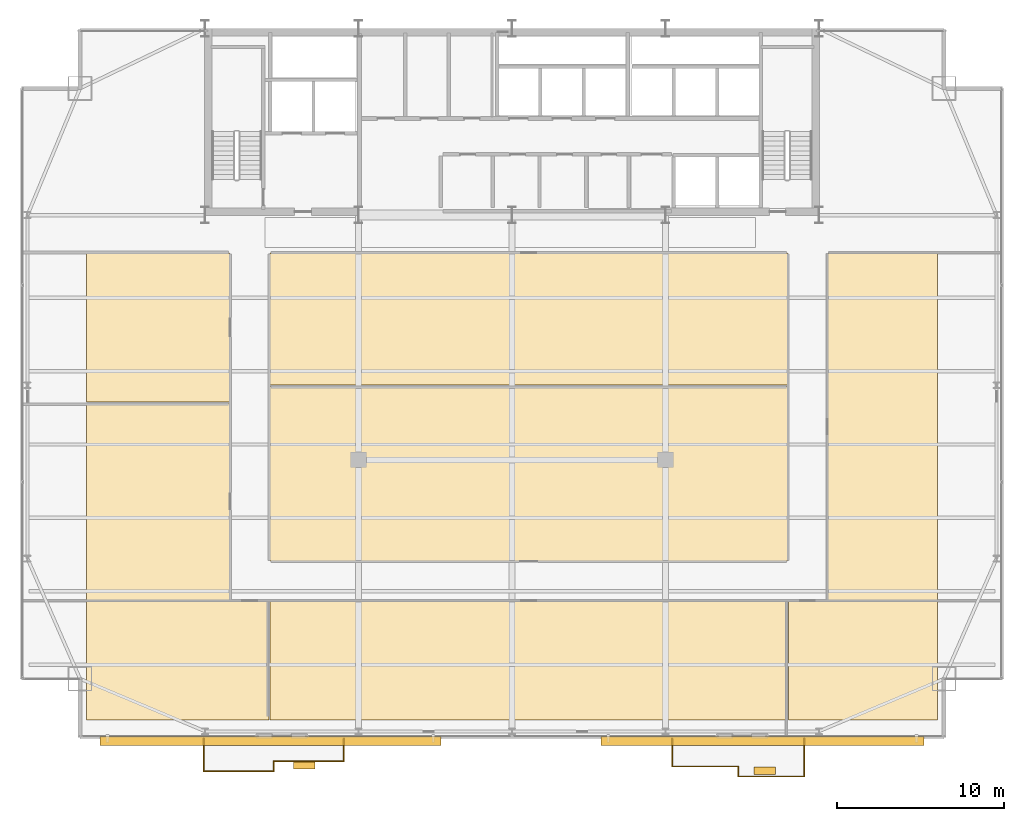
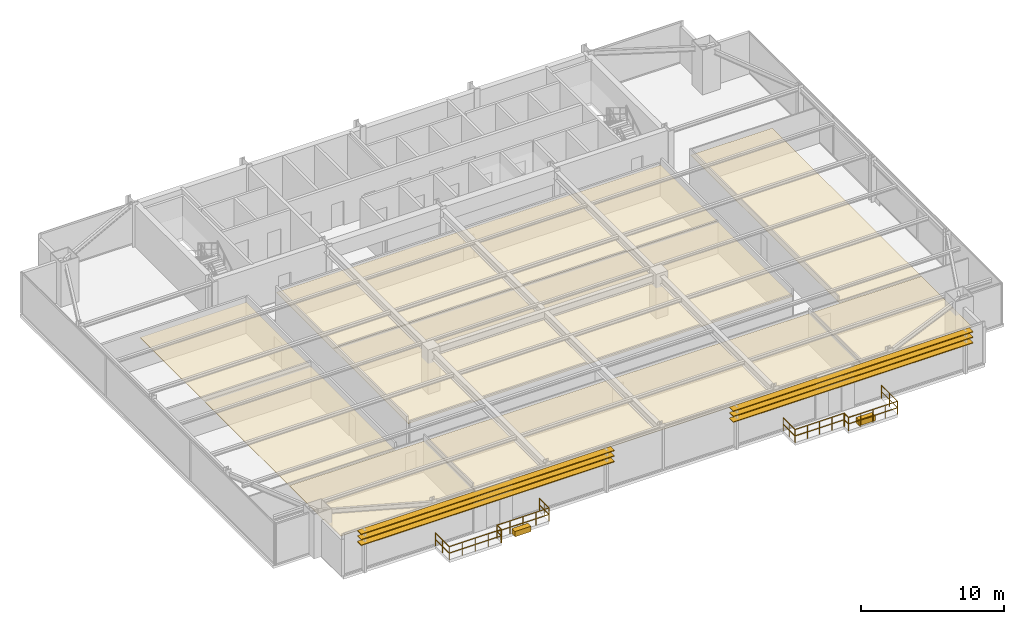
# One storey, part 33 of 34: 10 coverings, 10 railings, 6 shading devices.
"""IFC4 building model written with IfcOpenShell, lengths in metres."""

import ifcopenshell
import ifcopenshell.guid

model = None  # the IFC model being written
_history = None  # IfcOwnerHistory: only IFC2X3 demands one
_inside = {}  # id of a spatial element -> (the spatial element, [elements in it])
_under = {}  # id of a project, library or spatial element -> (it, [spatial elements below it])
_declared = {}  # id of a project -> (the project, [libraries it declares])
_typed = {}  # id of a type object -> (the type object, [elements of that type])
_made_of = {}  # id of a material, layer set ... -> (it, [elements and type objects made of it])


def new_model(schema):
    """Start an empty IFC model of exactly this schema.

    Asked for "IFC4X3", IfcOpenShell would pick the latest addendum, in which some entities
    have other attributes; the version numbers below select the first issue.
    IFC2X3 requires an IfcOwnerHistory on every rooted entity: one is made here for all.
    """
    global model, _history
    if schema == "IFC4X3":
        model = ifcopenshell.file(schema_version=(4, 3, 0, 0))
    else:
        model = ifcopenshell.file(schema=schema)
    _inside.clear()
    _under.clear()
    _declared.clear()
    _typed.clear()
    _made_of.clear()
    _history = None
    if model.schema == "IFC2X3":
        org = make("IfcOrganization", Name="unknown")
        user = make(
            "IfcPersonAndOrganization",
            ThePerson=make("IfcPerson", FamilyName="unknown"),
            TheOrganization=org,
        )
        app = make(
            "IfcApplication",
            ApplicationDeveloper=org,
            Version="unknown",
            ApplicationFullName="unknown",
            ApplicationIdentifier="unknown",
        )
        _history = make(
            "IfcOwnerHistory",
            OwningUser=user,
            OwningApplication=app,
            ChangeAction="ADDED",
            CreationDate=0,
        )
    return model


def make(cls, **values):
    """One entity of the class cls with the attributes given. An attribute that is None is left unset."""
    return model.create_entity(
        cls, **{name: value for name, value in values.items() if value is not None}
    )


def rooted(cls, **values):
    """An entity with a GlobalId (a new one), such as an element, a storey or a relation."""
    return make(cls, GlobalId=ifcopenshell.guid.new(), OwnerHistory=_history, **values)


def si_unit(unit_type, name, prefix=None):
    """IfcSIUnit, for example si_unit("LENGTHUNIT", "METRE", prefix="MILLI")."""
    return make("IfcSIUnit", UnitType=unit_type, Prefix=prefix, Name=name)


def assignment(units):
    """IfcUnitAssignment: the units of a project."""
    return None if units is None else make("IfcUnitAssignment", Units=units)


def point(xyz):
    """IfcCartesianPoint."""
    return None if xyz is None else make("IfcCartesianPoint", Coordinates=xyz)


def direction(xyz):
    """IfcDirection."""
    return None if xyz is None else make("IfcDirection", DirectionRatios=xyz)


def frame(location, z_axis=None, x_axis=None):
    """IfcAxis2Placement3D, a coordinate frame: its origin and axes. An axis left out is left unset."""
    return make(
        "IfcAxis2Placement3D",
        Location=point(location),
        Axis=direction(z_axis),
        RefDirection=direction(x_axis),
    )


def frame_2d(location, x_axis=None):
    """IfcAxis2Placement2D, a coordinate frame in the plane: its origin and x axis."""
    return make(
        "IfcAxis2Placement2D", Location=point(location), RefDirection=direction(x_axis)
    )


def origin():
    """The frame at (0, 0, 0) with its axes left unset."""
    return frame((0.0, 0.0, 0.0))


def origin_2d():
    """The frame at (0, 0) in the plane with its x axis left unset."""
    return frame_2d((0.0, 0.0))


def place(relative_to, where):
    """IfcLocalPlacement: puts the frame where relative to a parent placement (None: the world)."""
    return make(
        "IfcLocalPlacement", PlacementRelTo=relative_to, RelativePlacement=where
    )


def context(
    kind, dimensions, precision=None, world=None, true_north=None, identifier=None
):
    """IfcGeometricRepresentationContext, for example the 3D "Model" context."""
    return make(
        "IfcGeometricRepresentationContext",
        ContextIdentifier=identifier,
        ContextType=kind,
        CoordinateSpaceDimension=dimensions,
        Precision=precision,
        WorldCoordinateSystem=world,
        TrueNorth=true_north,
    )


def subcontext(parent, identifier, kind, view, scale=None):
    """IfcGeometricRepresentationSubContext, for example "Body" below "Model"."""
    return make(
        "IfcGeometricRepresentationSubContext",
        ContextIdentifier=identifier,
        ContextType=kind,
        ParentContext=parent,
        TargetScale=scale,
        TargetView=view,
    )


def project(units=None, contexts=None):
    """IfcProject with its units and contexts."""
    return rooted(
        "IfcProject",
        Name="project",
        RepresentationContexts=contexts,
        UnitsInContext=assignment(units),
    )


def spatial(cls, under=None, at=None, **own):
    """A site, building, storey or space (cls), placed at a placement, below another one or the project."""
    s = rooted(cls, ObjectPlacement=at, **own)
    if under is not None:
        _under.setdefault(under.id(), (under, []))[1].append(s)
    return s


def polyline(points):
    """IfcPolyline through the points."""
    return make("IfcPolyline", Points=[point(p) for p in points])


def profile(cls, at=None, kind="AREA", **sizes):
    """A parametric profile (cls). Its sizes go by their IFC names, for example OverallWidth=200.0."""
    return make(cls, ProfileType=kind, Position=at, **sizes)


def rectangle(**sizes):
    """IfcRectangleProfileDef."""
    return profile("IfcRectangleProfileDef", **sizes)


def outline(outer, holes=None, kind="AREA"):
    """IfcArbitraryClosedProfileDef: a profile drawn as a closed curve; with holes, ...WithVoids."""
    if holes is None:
        return make("IfcArbitraryClosedProfileDef", ProfileType=kind, OuterCurve=outer)
    return make(
        "IfcArbitraryProfileDefWithVoids",
        ProfileType=kind,
        OuterCurve=outer,
        InnerCurves=holes,
    )


def extrude(swept, where, along, depth):
    """IfcExtrudedAreaSolid: the profile swept, set in the frame where, extruded along a direction by depth."""
    return make(
        "IfcExtrudedAreaSolid",
        SweptArea=swept,
        Position=where,
        ExtrudedDirection=direction(along),
        Depth=depth,
    )


def shape(context_of_items, identifier, shape_type, items):
    """IfcShapeRepresentation: the items that make up one representation, for example the "Body"."""
    return make(
        "IfcShapeRepresentation",
        ContextOfItems=context_of_items,
        RepresentationIdentifier=identifier,
        RepresentationType=shape_type,
        Items=items,
    )


def source(mapping_origin, context_of_items, identifier, shape_type, items):
    """IfcRepresentationMap: a shape defined once, which mapped items show again and again."""
    return make(
        "IfcRepresentationMap",
        MappingOrigin=mapping_origin,
        MappedRepresentation=shape(context_of_items, identifier, shape_type, items),
    )


def transform(
    local_origin,
    x_axis=None,
    y_axis=None,
    z_axis=None,
    scale=None,
    scale2=None,
    scale3=None,
    uniform=True,
):
    """IfcCartesianTransformationOperator3D, or its non-uniform kind. x_axis, y_axis, z_axis: its Axis1, 2, 3."""
    if uniform:
        return make(
            "IfcCartesianTransformationOperator3D",
            Axis1=direction(x_axis),
            Axis2=direction(y_axis),
            LocalOrigin=point(local_origin),
            Scale=scale,
            Axis3=direction(z_axis),
        )
    return make(
        "IfcCartesianTransformationOperator3DnonUniform",
        Axis1=direction(x_axis),
        Axis2=direction(y_axis),
        LocalOrigin=point(local_origin),
        Scale=scale,
        Axis3=direction(z_axis),
        Scale2=scale2,
        Scale3=scale3,
    )


def mapped(mapping_source, mapping_target):
    """IfcMappedItem: shows the shape of a source again, moved by a transform."""
    return make(
        "IfcMappedItem", MappingSource=mapping_source, MappingTarget=mapping_target
    )


def material(Name=None, Category=None):
    """IfcMaterial."""
    return make("IfcMaterial", Name=Name, Category=Category)


def layer(
    of_material, thickness, ventilated=None, Name=None, Category=None, Priority=None
):
    """IfcMaterialLayer: one layer of a wall or slab, of a material (None: an air gap)."""
    return make(
        "IfcMaterialLayer",
        Material=of_material,
        LayerThickness=thickness,
        IsVentilated=ventilated,
        Name=Name,
        Category=Category,
        Priority=Priority,
    )


def layer_set(layers, Name=None):
    """IfcMaterialLayerSet."""
    return make("IfcMaterialLayerSet", MaterialLayers=layers, LayerSetName=Name)


def made_of(thing, what):
    """Note that an element or type object is made of a material, layer set ...; save() writes the relation."""
    if what is not None:
        _made_of.setdefault(what.id(), (what, []))[1].append(thing)
    return thing


def type_object(cls, material=None, **own):
    """A type object (cls), such as IfcWallType, which elements share."""
    return made_of(rooted(cls, **own), material)


def type_shapes(of_type, sources):
    """Give a type object the sources (RepresentationMaps) that its elements show as mapped items."""
    of_type.RepresentationMaps = sources


def element(
    cls,
    number,
    at=None,
    inside=None,
    cuts=None,
    type_object=None,
    material=None,
    context=None,
    identifier="Body",
    shape_type=None,
    held_by="IfcProductDefinitionShape",
    body=None,
    shapes=None,
    **own,
):
    """One element of the class cls, such as IfcWall. Its Tag is "e" and its number.

    at: its placement. inside: the storey or other place that contains it. cuts: it is an
    opening in that element (IfcRelVoidsElement). A single representation is given by context,
    identifier, shape_type and body (its items); several are given by shapes. held_by: the class
    of the entity that holds the representations. save() writes the other relations.
    """
    e = rooted(cls, Tag="e%d" % number, ObjectPlacement=at, **own)
    if body is not None:
        shapes = [shape(context, identifier, shape_type, body)]
    if shapes is not None:
        e.Representation = make(held_by, Representations=shapes)
    if inside is not None:
        _inside.setdefault(inside.id(), (inside, []))[1].append(e)
    if cuts is not None:
        rooted(
            "IfcRelVoidsElement", RelatingBuildingElement=cuts, RelatedOpeningElement=e
        )
    if type_object is not None:
        _typed.setdefault(type_object.id(), (type_object, []))[1].append(e)
    return made_of(e, material)


def aggregate(whole, parts):
    """IfcRelAggregates: a whole, such as a stair, and the parts it consists of."""
    return rooted("IfcRelAggregates", RelatingObject=whole, RelatedObjects=parts)


def save(model, path):
    """Write the relations noted so far, then the file.

    IfcRelAggregates (storeys below a building ...), IfcRelContainedInSpatialStructure (elements
    in a storey), IfcRelDefinesByType, IfcRelAssociatesMaterial and IfcRelDeclares: one each for
    every whole, place, type object, material and project.
    """
    for whole, parts in _under.values():
        aggregate(whole, parts)
    for where, things in _inside.values():
        rooted(
            "IfcRelContainedInSpatialStructure",
            RelatedElements=things,
            RelatingStructure=where,
        )
    for kind, things in _typed.values():
        rooted("IfcRelDefinesByType", RelatedObjects=things, RelatingType=kind)
    for what, things in _made_of.values():
        rooted("IfcRelAssociatesMaterial", RelatedObjects=things, RelatingMaterial=what)
    for by, libraries in _declared.values():
        rooted("IfcRelDeclares", RelatingContext=by, RelatedDefinitions=libraries)
    model.write(path)


model = new_model("IFC4")

# Units and contexts
model_context = context("Model", 3, precision=1e-05, world=origin(), true_north=direction((0.0, 1.0)))
body_context = subcontext(model_context, "Body", "Model", "MODEL_VIEW")
ifc_project = project(units=[si_unit("LENGTHUNIT", "METRE"), si_unit("AREAUNIT", "SQUARE_METRE"), si_unit("VOLUMEUNIT", "CUBIC_METRE"), si_unit("PLANEANGLEUNIT", "RADIAN"), si_unit("MASSUNIT", "GRAM", prefix="KILO")], contexts=[model_context])

# Site, building, storey
site_placement = place(None, origin())
site = spatial("IfcSite", under=ifc_project, at=site_placement, CompositionType="ELEMENT")
building_placement = place(site_placement, origin())
building = spatial("IfcBuilding", under=site, at=building_placement, Name="Varnel Quay Broadcast Tower", CompositionType="ELEMENT")
storey_placement = place(building_placement, frame((0.0, 0.0, 110.60009765625)))
storey = spatial("IfcBuildingStorey", under=building, at=storey_placement, Name="L26", CompositionType="ELEMENT", Elevation=110.60009765625)

# Coverings
ifc_material_1 = material(Name="Micro-Perforated Acoustic Ceiling Tile")
ifc_layer_1 = layer(ifc_material_1, 0.0400390625, Name="Micro-Perforated Acoustic Ceiling Tile")
ifc_layer_set_1 = layer_set([ifc_layer_1], Name="Micro-Perforated Acoustic Ceiling Tile")
covering_type_1 = type_object("IfcCoveringType", Name="Cov_AcousticCeiling", PredefinedType="CEILING", material=ifc_layer_set_1)
covering_1_placement = place(storey_placement, frame((0.0, 0.0, 2.579833984375)))
element("IfcCovering", 1, at=covering_1_placement, inside=storey, type_object=covering_type_1, Name="L26 Media Tape Archive Store 1 Acoustic Ceiling", PredefinedType="CEILING", context=body_context, shape_type="SweptSolid", body=[
    extrude(outline(polyline([(8.485107421875, 5.324951171875), (19.4150390625, 5.324951171875), (19.4150390625, 12.445068359375), (8.485107421875, 12.445068359375), (8.485107421875, 5.324951171875)])), origin(), (0.0, 0.0, 1.0), 0.0400390625),
])
covering_2_placement = place(storey_placement, frame((0.0, 0.0, 2.579833984375)))
element("IfcCovering", 2, at=covering_2_placement, inside=storey, type_object=covering_type_1, Name="L26 Lens & Rigging Store 2 Acoustic Ceiling", PredefinedType="CEILING", context=body_context, shape_type="SweptSolid", body=[
    extrude(outline(polyline([(19.485107421875, 5.324951171875), (50.514892578125, 5.324951171875), (50.514892578125, 12.445068359375), (19.485107421875, 12.445068359375), (19.485107421875, 5.324951171875)])), origin(), (0.0, 0.0, 1.0), 0.0400390625),
])
covering_3_placement = place(storey_placement, frame((0.0, 0.0, 2.579833984375)))
element("IfcCovering", 3, at=covering_3_placement, inside=storey, type_object=covering_type_1, Name="L26 Ingest Vault Store 3 Acoustic Ceiling", PredefinedType="CEILING", context=body_context, shape_type="SweptSolid", body=[
    extrude(outline(polyline([(50.5849609375, 5.324951171875), (59.514892578125, 5.324951171875), (59.514892578125, 12.445068359375), (50.5849609375, 12.445068359375), (50.5849609375, 5.324951171875)])), origin(), (0.0, 0.0, 1.0), 0.0400390625),
])
covering_4_placement = place(storey_placement, frame((0.0, 0.0, 2.579833984375)))
element("IfcCovering", 4, at=covering_4_placement, inside=storey, type_object=covering_type_1, Name="L26 Color Timing Suite 4 Acoustic Ceiling", PredefinedType="CEILING", context=body_context, shape_type="SweptSolid", body=[
    extrude(outline(polyline([(8.485107421875, 12.514892578125), (17.06494140625, 12.514892578125), (17.06494140625, 24.324951171875), (8.485107421875, 24.324951171875), (8.485107421875, 12.514892578125)])), origin(), (0.0, 0.0, 1.0), 0.0400390625),
])
covering_5_placement = place(storey_placement, frame((0.0, 0.0, 2.579833984375)))
element("IfcCovering", 5, at=covering_5_placement, inside=storey, type_object=covering_type_1, Name="L26 Screening Meeting Room 5 Acoustic Ceiling", PredefinedType="CEILING", context=body_context, shape_type="SweptSolid", body=[
    extrude(outline(polyline([(8.485107421875, 24.39501953125), (17.06494140625, 24.39501953125), (17.06494140625, 33.31494140625), (8.485107421875, 33.31494140625), (8.485107421875, 24.39501953125)])), origin(), (0.0, 0.0, 1.0), 0.0400390625),
])
covering_6_placement = place(storey_placement, frame((0.0, 0.0, 2.579833984375)))
element("IfcCovering", 6, at=covering_6_placement, inside=storey, type_object=covering_type_1, Name="L26 Producer Lounge 6 Acoustic Ceiling", PredefinedType="CEILING", context=body_context, shape_type="SweptSolid", body=[
    extrude(outline(polyline([(19.485107421875, 14.864990234375), (50.514892578125, 14.864990234375), (50.514892578125, 25.3349609375), (19.485107421875, 25.3349609375), (19.485107421875, 14.864990234375)])), origin(), (0.0, 0.0, 1.0), 0.0400390625),
])
covering_7_placement = place(storey_placement, frame((0.0, 0.0, 2.579833984375)))
element("IfcCovering", 7, at=covering_7_placement, inside=storey, type_object=covering_type_1, Name="L26 Tea Kitchen 7 Acoustic Ceiling", PredefinedType="CEILING", context=body_context, shape_type="SweptSolid", body=[
    extrude(outline(polyline([(19.485107421875, 25.405029296875), (50.514892578125, 25.405029296875), (50.514892578125, 33.31494140625), (19.485107421875, 33.31494140625), (19.485107421875, 25.405029296875)])), origin(), (0.0, 0.0, 1.0), 0.0400390625),
])
covering_8_placement = place(storey_placement, frame((0.0, 0.0, 2.579833984375)))
element("IfcCovering", 8, at=covering_8_placement, inside=storey, type_object=covering_type_1, Name="L26 Media Tape Archive Store 8 Acoustic Ceiling", PredefinedType="CEILING", context=body_context, shape_type="SweptSolid", body=[
    extrude(outline(polyline([(52.93505859375, 12.514892578125), (59.514892578125, 12.514892578125), (59.514892578125, 33.31494140625), (52.93505859375, 33.31494140625), (52.93505859375, 12.514892578125)])), origin(), (0.0, 0.0, 1.0), 0.0400390625),
])

# Railings
ifc_material_2 = material(Name="Anodised Bronze Aluminium 6063-T6", Category="aluminium")
railing_type = type_object("IfcRailingType", Name="Rail_Balustrade1150", PredefinedType="BALUSTRADE", material=ifc_material_2)
railing_1_placement = place(storey_placement, frame((15.52001953125, 2.260986328125, 0.0)))
element("IfcRailing", 9, at=railing_1_placement, inside=storey, type_object=railing_type, Name="L26 Terrace 1 Guard 1", PredefinedType="BALUSTRADE", context=body_context, shape_type="SweptSolid", body=[
    extrude(rectangle(XDim=0.048095703125, YDim=0.048095703125, at=origin_2d()), frame((0.0, 0.0, 1.1259765625), z_axis=(1.0, 0.0, 0.0), x_axis=(0.0, 1.0, 0.0)), (0.0, 0.0, 1.0), 4.199951171875),
    extrude(rectangle(XDim=0.048095703125, YDim=0.048095703125, at=origin_2d()), frame((0.0, 0.0, 0.574951171875), z_axis=(1.0, 0.0, 0.0), x_axis=(0.0, 1.0, 0.0)), (0.0, 0.0, 1.0), 4.199951171875),
    extrude(rectangle(XDim=0.0419921875, YDim=0.0419921875, at=origin_2d()), origin(), (0.0, 0.0, 1.0), 1.101806640625),
    extrude(rectangle(XDim=0.0419921875, YDim=0.0419921875, at=origin_2d()), frame((1.050048828125, 0.0, 0.0)), (0.0, 0.0, 1.0), 1.101806640625),
    extrude(rectangle(XDim=0.0419921875, YDim=0.0419921875, at=origin_2d()), frame((2.10009765625, 0.0, 0.0)), (0.0, 0.0, 1.0), 1.101806640625),
    extrude(rectangle(XDim=0.0419921875, YDim=0.0419921875, at=origin_2d()), frame((3.14990234375, 0.0, 0.0)), (0.0, 0.0, 1.0), 1.101806640625),
    extrude(rectangle(XDim=0.0419921875, YDim=0.0419921875, at=origin_2d()), frame((4.199951171875, 0.0, 0.0)), (0.0, 0.0, 1.0), 1.101806640625),
])
railing_2_placement = place(storey_placement, frame((19.719970703125, 2.260986328125, 0.0)))
element("IfcRailing", 10, at=railing_2_placement, inside=storey, type_object=railing_type, Name="L26 Terrace 1 Guard 2", PredefinedType="BALUSTRADE", context=body_context, shape_type="SweptSolid", body=[
    extrude(rectangle(XDim=0.048095703125, YDim=0.048095703125, at=origin_2d()), frame((0.0, 0.0, 1.1259765625), z_axis=(0.0, 1.0, 0.0), x_axis=(-1.0, 0.0, 0.0)), (0.0, 0.0, 1.0), 0.60009765625),
    extrude(rectangle(XDim=0.048095703125, YDim=0.048095703125, at=origin_2d()), frame((0.0, 0.0, 0.574951171875), z_axis=(0.0, 1.0, 0.0), x_axis=(-1.0, 0.0, 0.0)), (0.0, 0.0, 1.0), 0.60009765625),
    extrude(rectangle(XDim=0.0419921875, YDim=0.0419921875, at=origin_2d()), origin(), (0.0, 0.0, 1.0), 1.101806640625),
    extrude(rectangle(XDim=0.0419921875, YDim=0.0419921875, at=origin_2d()), frame((0.0, 0.60009765625, 0.0)), (0.0, 0.0, 1.0), 1.101806640625),
])
railing_3_placement = place(storey_placement, frame((19.719970703125, 2.861083984375, 0.0)))
element("IfcRailing", 11, at=railing_3_placement, inside=storey, type_object=railing_type, Name="L26 Terrace 1 Guard 3", PredefinedType="BALUSTRADE", context=body_context, shape_type="SweptSolid", body=[
    extrude(rectangle(XDim=0.048095703125, YDim=0.048095703125, at=origin_2d()), frame((0.0, 0.0, 1.1259765625), z_axis=(1.0, 0.0, 0.0), x_axis=(0.0, 1.0, 0.0)), (0.0, 0.0, 1.0), 4.199951171875),
    extrude(rectangle(XDim=0.048095703125, YDim=0.048095703125, at=origin_2d()), frame((0.0, 0.0, 0.574951171875), z_axis=(1.0, 0.0, 0.0), x_axis=(0.0, 1.0, 0.0)), (0.0, 0.0, 1.0), 4.199951171875),
    extrude(rectangle(XDim=0.0419921875, YDim=0.0419921875, at=origin_2d()), origin(), (0.0, 0.0, 1.0), 1.101806640625),
    extrude(rectangle(XDim=0.0419921875, YDim=0.0419921875, at=origin_2d()), frame((1.050048828125, 0.0, 0.0)), (0.0, 0.0, 1.0), 1.101806640625),
    extrude(rectangle(XDim=0.0419921875, YDim=0.0419921875, at=origin_2d()), frame((2.10009765625, 0.0, 0.0)), (0.0, 0.0, 1.0), 1.101806640625),
    extrude(rectangle(XDim=0.0419921875, YDim=0.0419921875, at=origin_2d()), frame((3.14990234375, 0.0, 0.0)), (0.0, 0.0, 1.0), 1.101806640625),
    extrude(rectangle(XDim=0.0419921875, YDim=0.0419921875, at=origin_2d()), frame((4.199951171875, 0.0, 0.0)), (0.0, 0.0, 1.0), 1.101806640625),
])
railing_4_placement = place(storey_placement, frame((23.919921875, 2.861083984375, 0.0)))
element("IfcRailing", 12, at=railing_4_placement, inside=storey, type_object=railing_type, Name="L26 Terrace 1 Guard 4", PredefinedType="BALUSTRADE", context=body_context, shape_type="SweptSolid", body=[
    extrude(rectangle(XDim=0.048095703125, YDim=0.048095703125, at=origin_2d()), frame((0.0, 0.0, 1.1259765625), z_axis=(0.0, 1.0, 0.0), x_axis=(-1.0, 0.0, 0.0)), (0.0, 0.0, 1.0), 1.3388671875),
    extrude(rectangle(XDim=0.048095703125, YDim=0.048095703125, at=origin_2d()), frame((0.0, 0.0, 0.574951171875), z_axis=(0.0, 1.0, 0.0), x_axis=(-1.0, 0.0, 0.0)), (0.0, 0.0, 1.0), 1.3388671875),
    extrude(rectangle(XDim=0.0419921875, YDim=0.0419921875, at=origin_2d()), origin(), (0.0, 0.0, 1.0), 1.101806640625),
    extrude(rectangle(XDim=0.0419921875, YDim=0.0419921875, at=origin_2d()), frame((0.0, 0.66943359375, 0.0)), (0.0, 0.0, 1.0), 1.101806640625),
    extrude(rectangle(XDim=0.0419921875, YDim=0.0419921875, at=origin_2d()), frame((0.0, 1.3388671875, 0.0)), (0.0, 0.0, 1.0), 1.101806640625),
])
railing_5_placement = place(storey_placement, frame((15.52001953125, 4.199951171875, 0.0)))
element("IfcRailing", 13, at=railing_5_placement, inside=storey, type_object=railing_type, Name="L26 Terrace 1 Guard 6", PredefinedType="BALUSTRADE", context=body_context, shape_type="SweptSolid", body=[
    extrude(rectangle(XDim=0.048095703125, YDim=0.048095703125, at=origin_2d()), frame((0.0, 0.0, 1.1259765625), z_axis=(0.0, -1.0, 0.0), x_axis=(1.0, 0.0, 0.0)), (0.0, 0.0, 1.0), 1.93896484375),
    extrude(rectangle(XDim=0.048095703125, YDim=0.048095703125, at=origin_2d()), frame((0.0, 0.0, 0.574951171875), z_axis=(0.0, -1.0, 0.0), x_axis=(1.0, 0.0, 0.0)), (0.0, 0.0, 1.0), 1.93896484375),
    extrude(rectangle(XDim=0.0419921875, YDim=0.0419921875, at=origin_2d()), origin(), (0.0, 0.0, 1.0), 1.101806640625),
    extrude(rectangle(XDim=0.0419921875, YDim=0.0419921875, at=origin_2d()), frame((0.0, -0.969482421875, 0.0)), (0.0, 0.0, 1.0), 1.101806640625),
    extrude(rectangle(XDim=0.0419921875, YDim=0.0419921875, at=origin_2d()), frame((0.0, -1.93896484375, 0.0)), (0.0, 0.0, 1.0), 1.101806640625),
])
railing_6_placement = place(storey_placement, frame((43.60009765625, 2.5390625, 0.0)))
element("IfcRailing", 14, at=railing_6_placement, inside=storey, type_object=railing_type, Name="L26 Terrace 2 Guard 1", PredefinedType="BALUSTRADE", context=body_context, shape_type="SweptSolid", body=[
    extrude(rectangle(XDim=0.048095703125, YDim=0.048095703125, at=origin_2d()), frame((0.0, 0.0, 1.1259765625), z_axis=(1.0, 0.0, 0.0), x_axis=(0.0, 1.0, 0.0)), (0.0, 0.0, 1.0), 3.9599609375),
    extrude(rectangle(XDim=0.048095703125, YDim=0.048095703125, at=origin_2d()), frame((0.0, 0.0, 0.574951171875), z_axis=(1.0, 0.0, 0.0), x_axis=(0.0, 1.0, 0.0)), (0.0, 0.0, 1.0), 3.9599609375),
    extrude(rectangle(XDim=0.0419921875, YDim=0.0419921875, at=origin_2d()), origin(), (0.0, 0.0, 1.0), 1.101806640625),
    extrude(rectangle(XDim=0.0419921875, YDim=0.0419921875, at=origin_2d()), frame((0.989990234375, 0.0, 0.0)), (0.0, 0.0, 1.0), 1.101806640625),
    extrude(rectangle(XDim=0.0419921875, YDim=0.0419921875, at=origin_2d()), frame((1.97998046875, 0.0, 0.0)), (0.0, 0.0, 1.0), 1.101806640625),
    extrude(rectangle(XDim=0.0419921875, YDim=0.0419921875, at=origin_2d()), frame((2.969970703125, 0.0, 0.0)), (0.0, 0.0, 1.0), 1.101806640625),
    extrude(rectangle(XDim=0.0419921875, YDim=0.0419921875, at=origin_2d()), frame((3.9599609375, 0.0, 0.0)), (0.0, 0.0, 1.0), 1.101806640625),
])
railing_7_placement = place(storey_placement, frame((47.56005859375, 2.5390625, 0.0)))
element("IfcRailing", 15, at=railing_7_placement, inside=storey, type_object=railing_type, Name="L26 Terrace 2 Guard 2", PredefinedType="BALUSTRADE", context=body_context, shape_type="SweptSolid", body=[
    extrude(rectangle(XDim=0.048095703125, YDim=0.048095703125, at=origin_2d()), frame((0.0, 0.0, 1.1259765625), z_axis=(0.0, -1.0, 0.0), x_axis=(1.0, 0.0, 0.0)), (0.0, 0.0, 1.0), 0.60009765625),
    extrude(rectangle(XDim=0.048095703125, YDim=0.048095703125, at=origin_2d()), frame((0.0, 0.0, 0.574951171875), z_axis=(0.0, -1.0, 0.0), x_axis=(1.0, 0.0, 0.0)), (0.0, 0.0, 1.0), 0.60009765625),
    extrude(rectangle(XDim=0.0419921875, YDim=0.0419921875, at=origin_2d()), origin(), (0.0, 0.0, 1.0), 1.101806640625),
    extrude(rectangle(XDim=0.0419921875, YDim=0.0419921875, at=origin_2d()), frame((0.0, -0.60009765625, 0.0)), (0.0, 0.0, 1.0), 1.101806640625),
])
railing_8_placement = place(storey_placement, frame((47.56005859375, 1.93896484375, 0.0)))
element("IfcRailing", 16, at=railing_8_placement, inside=storey, type_object=railing_type, Name="L26 Terrace 2 Guard 3", PredefinedType="BALUSTRADE", context=body_context, shape_type="SweptSolid", body=[
    extrude(rectangle(XDim=0.048095703125, YDim=0.048095703125, at=origin_2d()), frame((0.0, 0.0, 1.1259765625), z_axis=(1.0, 0.0, 0.0), x_axis=(0.0, 1.0, 0.0)), (0.0, 0.0, 1.0), 3.9599609375),
    extrude(rectangle(XDim=0.048095703125, YDim=0.048095703125, at=origin_2d()), frame((0.0, 0.0, 0.574951171875), z_axis=(1.0, 0.0, 0.0), x_axis=(0.0, 1.0, 0.0)), (0.0, 0.0, 1.0), 3.9599609375),
    extrude(rectangle(XDim=0.0419921875, YDim=0.0419921875, at=origin_2d()), origin(), (0.0, 0.0, 1.0), 1.101806640625),
    extrude(rectangle(XDim=0.0419921875, YDim=0.0419921875, at=origin_2d()), frame((0.989990234375, 0.0, 0.0)), (0.0, 0.0, 1.0), 1.101806640625),
    extrude(rectangle(XDim=0.0419921875, YDim=0.0419921875, at=origin_2d()), frame((1.97998046875, 0.0, 0.0)), (0.0, 0.0, 1.0), 1.101806640625),
    extrude(rectangle(XDim=0.0419921875, YDim=0.0419921875, at=origin_2d()), frame((2.969970703125, 0.0, 0.0)), (0.0, 0.0, 1.0), 1.101806640625),
    extrude(rectangle(XDim=0.0419921875, YDim=0.0419921875, at=origin_2d()), frame((3.9599609375, 0.0, 0.0)), (0.0, 0.0, 1.0), 1.101806640625),
])
railing_9_placement = place(storey_placement, frame((51.52001953125, 1.93896484375, 0.0)))
element("IfcRailing", 17, at=railing_9_placement, inside=storey, type_object=railing_type, Name="L26 Terrace 2 Guard 4", PredefinedType="BALUSTRADE", context=body_context, shape_type="SweptSolid", body=[
    extrude(rectangle(XDim=0.048095703125, YDim=0.048095703125, at=origin_2d()), frame((0.0, 0.0, 1.1259765625), z_axis=(0.0, 1.0, 0.0), x_axis=(-1.0, 0.0, 0.0)), (0.0, 0.0, 1.0), 2.260986328125),
    extrude(rectangle(XDim=0.048095703125, YDim=0.048095703125, at=origin_2d()), frame((0.0, 0.0, 0.574951171875), z_axis=(0.0, 1.0, 0.0), x_axis=(-1.0, 0.0, 0.0)), (0.0, 0.0, 1.0), 2.260986328125),
    extrude(rectangle(XDim=0.0419921875, YDim=0.0419921875, at=origin_2d()), origin(), (0.0, 0.0, 1.0), 1.101806640625),
    extrude(rectangle(XDim=0.0419921875, YDim=0.0419921875, at=origin_2d()), frame((0.0, 1.13037109375, 0.0)), (0.0, 0.0, 1.0), 1.101806640625),
    extrude(rectangle(XDim=0.0419921875, YDim=0.0419921875, at=origin_2d()), frame((0.0, 2.260986328125, 0.0)), (0.0, 0.0, 1.0), 1.101806640625),
])
railing_10_placement = place(storey_placement, frame((43.60009765625, 4.199951171875, 0.0)))
element("IfcRailing", 18, at=railing_10_placement, inside=storey, type_object=railing_type, Name="L26 Terrace 2 Guard 6", PredefinedType="BALUSTRADE", context=body_context, shape_type="SweptSolid", body=[
    extrude(rectangle(XDim=0.048095703125, YDim=0.048095703125, at=origin_2d()), frame((0.0, 0.0, 1.1259765625), z_axis=(0.0, -1.0, 0.0), x_axis=(1.0, 0.0, 0.0)), (0.0, 0.0, 1.0), 1.660888671875),
    extrude(rectangle(XDim=0.048095703125, YDim=0.048095703125, at=origin_2d()), frame((0.0, 0.0, 0.574951171875), z_axis=(0.0, -1.0, 0.0), x_axis=(1.0, 0.0, 0.0)), (0.0, 0.0, 1.0), 1.660888671875),
    extrude(rectangle(XDim=0.0419921875, YDim=0.0419921875, at=origin_2d()), origin(), (0.0, 0.0, 1.0), 1.101806640625),
    extrude(rectangle(XDim=0.0419921875, YDim=0.0419921875, at=origin_2d()), frame((0.0, -0.83056640625, 0.0)), (0.0, 0.0, 1.0), 1.101806640625),
    extrude(rectangle(XDim=0.0419921875, YDim=0.0419921875, at=origin_2d()), frame((0.0, -1.660888671875, 0.0)), (0.0, 0.0, 1.0), 1.101806640625),
])

# Coverings
ifc_material_3 = material(Name="Bronze-Terracotta Extruded Ceramic Blade", Category="masonry")
ifc_layer_2 = layer(ifc_material_3, 0.449951171875, Name="Bronze-Terracotta Extruded Ceramic Blade")
ifc_layer_set_2 = layer_set([ifc_layer_2], Name="Bronze-Terracotta Extruded Ceramic Blade")
covering_type_2 = type_object("IfcCoveringType", Name="Cov_BronzePlanter", PredefinedType="CLADDING", material=ifc_layer_set_2)
shared_shape_1 = source(origin(), body_context, "Body", "SweptSolid", [
    extrude(rectangle(XDim=1.300048828125, YDim=0.449951171875, at=origin_2d()), origin(), (0.0, 0.0, 1.0), 0.449951171875),
])
type_shapes(covering_type_2, [shared_shape_1])
for number, where, z_axis, x_axis, name in (
    (19, (21.550048828125, 2.611083984375, 0.0), (0.0, 0.0, 1.0), (1.0, 0.0, 0.0), "L26 Terrace 1 Bronze Planter"),
    (20, (49.14990234375, 2.2890625, 0.0), (0.0, 0.0, 1.0), (1.0, 0.0, 0.0), "L26 Terrace 2 Bronze Planter"),
):
    element("IfcCovering", number, at=place(storey_placement, frame(where, z_axis=z_axis, x_axis=x_axis)), inside=storey, type_object=covering_type_2, Name=name, PredefinedType="CLADDING", context=body_context, shape_type="MappedRepresentation", body=[
        mapped(shared_shape_1, transform((0.0, 0.0, 0.0), x_axis=(1.0, 0.0, 0.0), y_axis=(0.0, 1.0, 0.0), z_axis=(0.0, 0.0, 1.0), scale=1.0)),
    ])

# Shading devices
ifc_layer_3 = layer(ifc_material_3, 0.06494140625, Name="Bronze-Terracotta Extruded Ceramic Blade")
ifc_layer_set_3 = layer_set([ifc_layer_3], Name="Bronze-Terracotta Extruded Ceramic Blade")
shading_device_type = type_object("IfcShadingDeviceType", Name="Shade_LouvreBlade550", PredefinedType="JALOUSIE", material=ifc_layer_set_3)
shared_shape_2 = source(origin(), body_context, "Body", "SweptSolid", [
    extrude(rectangle(XDim=20.428955078125, YDim=0.550048828125, at=origin_2d()), origin(), (0.0, 0.0, 1.0), 0.06494140625),
])
for number, where, z_axis, x_axis, name in (
    (21, (19.513916015625, 4.06005859375, 2.447509765625), (0.0, 0.0, 1.0), (1.0, 0.0, 0.0), "L26 Lobe 1 Horizontal Louvre Blade 1"),
    (22, (19.513916015625, 4.06005859375, 2.927490234375), (0.0, 0.0, 1.0), (1.0, 0.0, 0.0), "L26 Lobe 1 Horizontal Louvre Blade 2"),
    (23, (19.513916015625, 4.06005859375, 3.387451171875), (0.0, 0.0, 1.0), (1.0, 0.0, 0.0), "L26 Lobe 1 Horizontal Louvre Blade 3"),
):
    element("IfcShadingDevice", number, at=place(storey_placement, frame(where, z_axis=z_axis, x_axis=x_axis)), inside=storey, type_object=shading_device_type, Name=name, PredefinedType="JALOUSIE", context=body_context, shape_type="MappedRepresentation", body=[
        mapped(shared_shape_2, transform((0.0, 0.0, 0.0), x_axis=(1.0, 0.0, 0.0), y_axis=(0.0, 1.0, 0.0), z_axis=(0.0, 0.0, 1.0), scale=1.0)),
    ])
shared_shape_3 = source(origin(), body_context, "Body", "SweptSolid", [
    extrude(rectangle(XDim=19.37109375, YDim=0.550048828125, at=origin_2d()), origin(), (0.0, 0.0, 1.0), 0.06494140625),
])
type_shapes(shading_device_type, [shared_shape_2, shared_shape_3])
for number, where, z_axis, x_axis, name in (
    (24, (49.013916015625, 4.06005859375, 2.447509765625), (0.0, 0.0, 1.0), (1.0, 0.0, 0.0), "L26 Lobe 2 Horizontal Louvre Blade 1"),
    (25, (49.013916015625, 4.06005859375, 2.927490234375), (0.0, 0.0, 1.0), (1.0, 0.0, 0.0), "L26 Lobe 2 Horizontal Louvre Blade 2"),
    (26, (49.013916015625, 4.06005859375, 3.387451171875), (0.0, 0.0, 1.0), (1.0, 0.0, 0.0), "L26 Lobe 2 Horizontal Louvre Blade 3"),
):
    element("IfcShadingDevice", number, at=place(storey_placement, frame(where, z_axis=z_axis, x_axis=x_axis)), inside=storey, type_object=shading_device_type, Name=name, PredefinedType="JALOUSIE", context=body_context, shape_type="MappedRepresentation", body=[
        mapped(shared_shape_3, transform((0.0, 0.0, 0.0), x_axis=(1.0, 0.0, 0.0), y_axis=(0.0, 1.0, 0.0), z_axis=(0.0, 0.0, 1.0), scale=1.0)),
    ])

save(model, "model.ifc")
